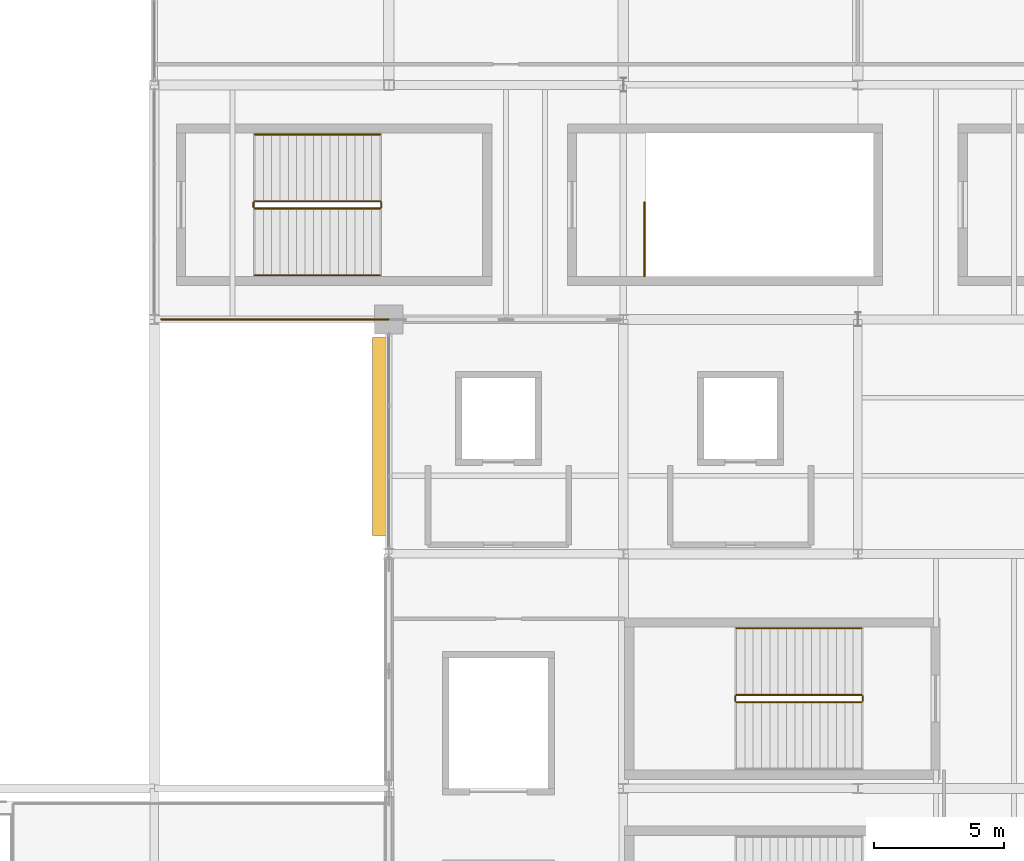
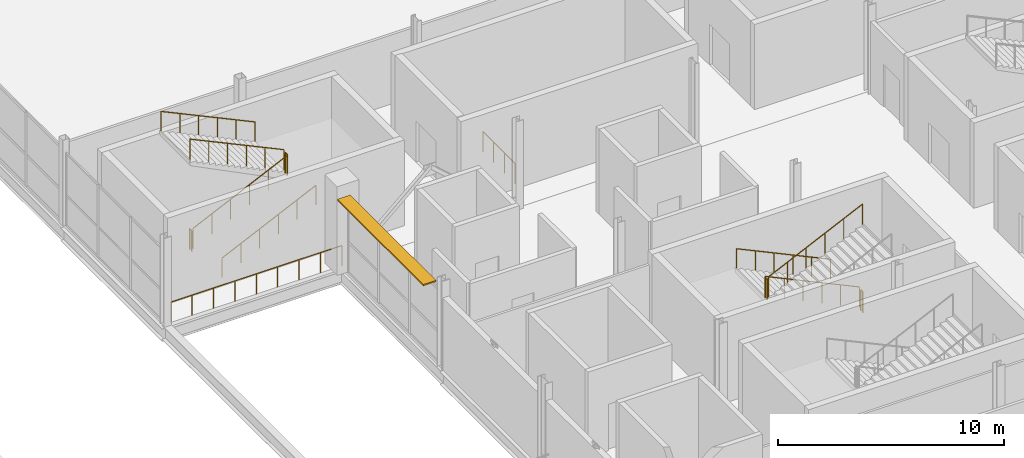
# One storey, part 65 of 69: 13 railings, 1 shading device.
"""IFC4 building model written with IfcOpenShell, lengths in metres."""

from ifc_helpers import new_model, si_unit, direction, frame, origin, origin_2d, place, context, subcontext, project, spatial, rectangle, circle, extrude, material, type_object, element, save


model = new_model("IFC4")

# Units and contexts
model_context = context("Model", 3, precision=1e-05, world=origin(), true_north=direction((0.0, 1.0)))
body_context = subcontext(model_context, "Body", "Model", "MODEL_VIEW")
ifc_project = project(units=[si_unit("LENGTHUNIT", "METRE"), si_unit("AREAUNIT", "SQUARE_METRE"), si_unit("VOLUMEUNIT", "CUBIC_METRE"), si_unit("PLANEANGLEUNIT", "RADIAN"), si_unit("MASSUNIT", "GRAM", prefix="KILO")], contexts=[model_context])

# Site, building, storey
site_placement = place(None, origin())
site = spatial("IfcSite", under=ifc_project, at=site_placement, CompositionType="ELEMENT")
building_placement = place(site_placement, origin())
building = spatial("IfcBuilding", under=site, at=building_placement, Name="Qamarlyn Nura Convention Centre", CompositionType="ELEMENT")
storey_placement = place(building_placement, frame((0.0, 0.0, 15.60009765625)))
storey = spatial("IfcBuildingStorey", under=building, at=storey_placement, Name="L03", CompositionType="ELEMENT", Elevation=15.60009765625)

# Railings
ifc_material_1 = material(Name="Marine Grade 316 stainless steel", Category="steel")
railing_type_1 = type_object("IfcRailingType", Name="GRD-STAIR-112", PredefinedType="BALUSTRADE", material=ifc_material_1)
railing_1_placement = place(storey_placement, frame((171.139892578125, 66.590087890625, 0.14990234375)))
element("IfcRailing", 1, at=railing_1_placement, inside=storey, type_object=railing_type_1, Name="L03 ST-12 stair guard 1", PredefinedType="BALUSTRADE", context=body_context, shape_type="SweptSolid", body=[
    extrude(circle(Radius=0.02392578125, at=origin_2d()), frame((0.0, 0.0, 1.09619140625), z_axis=(-0.905452298538, 0.0, 0.424448035774), x_axis=(0.0, -1.0, 0.0)), (0.0, 0.0, 1.0), 5.301025390625),
    extrude(circle(Radius=0.02099609375, at=origin_2d()), origin(), (0.0, 0.0, 1.0), 1.070068359375),
    extrude(circle(Radius=0.02099609375, at=origin_2d()), frame((-0.9599609375, 0.0, 0.449951171875)), (0.0, 0.0, 1.0), 1.070068359375),
    extrude(circle(Radius=0.02099609375, at=origin_2d()), frame((-1.919921875, 0.0, 0.89990234375)), (0.0, 0.0, 1.0), 1.070068359375),
    extrude(circle(Radius=0.02099609375, at=origin_2d()), frame((-2.8798828125, 0.0, 1.35009765625)), (0.0, 0.0, 1.0), 1.070068359375),
    extrude(circle(Radius=0.02099609375, at=origin_2d()), frame((-3.83984375, 0.0, 1.800048828125)), (0.0, 0.0, 1.0), 1.070068359375),
    extrude(circle(Radius=0.02099609375, at=origin_2d()), frame((-4.7998046875, 0.0, 2.25)), (0.0, 0.0, 1.0), 1.070068359375),
])
railing_2_placement = place(storey_placement, frame((166.2900390625, 66.5400390625, 2.39990234375)))
element("IfcRailing", 2, at=railing_2_placement, inside=storey, type_object=railing_type_1, Name="L03 ST-12 stair guard 2", PredefinedType="BALUSTRADE", context=body_context, shape_type="SweptSolid", body=[
    extrude(circle(Radius=0.02392578125, at=origin_2d()), frame((0.0, 0.0, 1.09619140625), z_axis=(0.0, -1.0, 0.0), x_axis=(1.0, 0.0, 0.0)), (0.0, 0.0, 1.0), 0.179931640625),
    extrude(circle(Radius=0.02099609375, at=origin_2d()), origin(), (0.0, 0.0, 1.0), 1.070068359375),
    extrude(circle(Radius=0.02099609375, at=origin_2d()), frame((0.0, -0.179931640625, 0.0)), (0.0, 0.0, 1.0), 1.070068359375),
])
railing_3_placement = place(storey_placement, frame((166.340087890625, 66.31005859375, 2.5498046875)))
element("IfcRailing", 3, at=railing_3_placement, inside=storey, type_object=railing_type_1, Name="L03 ST-12 stair guard 3", PredefinedType="BALUSTRADE", context=body_context, shape_type="SweptSolid", body=[
    extrude(circle(Radius=0.02392578125, at=origin_2d()), frame((0.0, 0.0, 1.09619140625), z_axis=(0.905452298538, 0.0, 0.424448035774), x_axis=(0.0, 1.0, 0.0)), (0.0, 0.0, 1.0), 5.301025390625),
    extrude(circle(Radius=0.02099609375, at=origin_2d()), origin(), (0.0, 0.0, 1.0), 1.070068359375),
    extrude(circle(Radius=0.02099609375, at=origin_2d()), frame((0.9599609375, 0.0, 0.449951171875)), (0.0, 0.0, 1.0), 1.070068359375),
    extrude(circle(Radius=0.02099609375, at=origin_2d()), frame((1.919921875, 0.0, 0.89990234375)), (0.0, 0.0, 1.0), 1.070068359375),
    extrude(circle(Radius=0.02099609375, at=origin_2d()), frame((2.8798828125, 0.0, 1.35009765625)), (0.0, 0.0, 1.0), 1.070068359375),
    extrude(circle(Radius=0.02099609375, at=origin_2d()), frame((3.83984375, 0.0, 1.800048828125)), (0.0, 0.0, 1.0), 1.070068359375),
    extrude(circle(Radius=0.02099609375, at=origin_2d()), frame((4.7998046875, 0.0, 2.25)), (0.0, 0.0, 1.0), 1.070068359375),
])
railing_4_placement = place(storey_placement, frame((171.18994140625, 66.5400390625, 0.0)))
element("IfcRailing", 4, at=railing_4_placement, inside=storey, type_object=railing_type_1, Name="L03 ST-12 stair guard 4", PredefinedType="BALUSTRADE", context=body_context, shape_type="SweptSolid", body=[
    extrude(circle(Radius=0.02392578125, at=origin_2d()), frame((0.0, 0.0, 1.09619140625), z_axis=(0.0, -1.0, 0.0), x_axis=(1.0, 0.0, 0.0)), (0.0, 0.0, 1.0), 0.179931640625),
    extrude(circle(Radius=0.02099609375, at=origin_2d()), origin(), (0.0, 0.0, 1.0), 1.070068359375),
    extrude(circle(Radius=0.02099609375, at=origin_2d()), frame((0.0, -0.179931640625, 0.0)), (0.0, 0.0, 1.0), 1.070068359375),
])
railing_5_placement = place(storey_placement, frame((147.860107421875, 85.260009765625, 0.14990234375)))
element("IfcRailing", 5, at=railing_5_placement, inside=storey, type_object=railing_type_1, Name="L03 ST-15 stair guard 1", PredefinedType="BALUSTRADE", context=body_context, shape_type="SweptSolid", body=[
    extrude(circle(Radius=0.02392578125, at=origin_2d()), frame((0.0, 0.0, 1.09619140625), z_axis=(0.905452298538, 0.0, 0.424448035774), x_axis=(0.0, 1.0, 0.0)), (0.0, 0.0, 1.0), 5.301025390625),
    extrude(circle(Radius=0.02099609375, at=origin_2d()), origin(), (0.0, 0.0, 1.0), 1.070068359375),
    extrude(circle(Radius=0.02099609375, at=origin_2d()), frame((0.9599609375, 0.0, 0.449951171875)), (0.0, 0.0, 1.0), 1.070068359375),
    extrude(circle(Radius=0.02099609375, at=origin_2d()), frame((1.919921875, 0.0, 0.89990234375)), (0.0, 0.0, 1.0), 1.070068359375),
    extrude(circle(Radius=0.02099609375, at=origin_2d()), frame((2.8798828125, 0.0, 1.35009765625)), (0.0, 0.0, 1.0), 1.070068359375),
    extrude(circle(Radius=0.02099609375, at=origin_2d()), frame((3.83984375, 0.0, 1.800048828125)), (0.0, 0.0, 1.0), 1.070068359375),
    extrude(circle(Radius=0.02099609375, at=origin_2d()), frame((4.7998046875, 0.0, 2.25)), (0.0, 0.0, 1.0), 1.070068359375),
])
railing_6_placement = place(storey_placement, frame((152.7099609375, 85.31005859375, 2.39990234375)))
element("IfcRailing", 6, at=railing_6_placement, inside=storey, type_object=railing_type_1, Name="L03 ST-15 stair guard 2", PredefinedType="BALUSTRADE", context=body_context, shape_type="SweptSolid", body=[
    extrude(circle(Radius=0.02392578125, at=origin_2d()), frame((0.0, 0.0, 1.09619140625), z_axis=(0.0, 1.0, 0.0), x_axis=(-1.0, 0.0, 0.0)), (0.0, 0.0, 1.0), 0.179931640625),
    extrude(circle(Radius=0.02099609375, at=origin_2d()), origin(), (0.0, 0.0, 1.0), 1.070068359375),
    extrude(circle(Radius=0.02099609375, at=origin_2d()), frame((0.0, 0.179931640625, 0.0)), (0.0, 0.0, 1.0), 1.070068359375),
])
railing_7_placement = place(storey_placement, frame((152.659912109375, 85.5400390625, 2.5498046875)))
element("IfcRailing", 7, at=railing_7_placement, inside=storey, type_object=railing_type_1, Name="L03 ST-15 stair guard 3", PredefinedType="BALUSTRADE", context=body_context, shape_type="SweptSolid", body=[
    extrude(circle(Radius=0.02392578125, at=origin_2d()), frame((0.0, 0.0, 1.09619140625), z_axis=(-0.905452298538, 0.0, 0.424448035774), x_axis=(0.0, -1.0, 0.0)), (0.0, 0.0, 1.0), 5.301025390625),
    extrude(circle(Radius=0.02099609375, at=origin_2d()), origin(), (0.0, 0.0, 1.0), 1.070068359375),
    extrude(circle(Radius=0.02099609375, at=origin_2d()), frame((-0.9599609375, 0.0, 0.449951171875)), (0.0, 0.0, 1.0), 1.070068359375),
    extrude(circle(Radius=0.02099609375, at=origin_2d()), frame((-1.919921875, 0.0, 0.89990234375)), (0.0, 0.0, 1.0), 1.070068359375),
    extrude(circle(Radius=0.02099609375, at=origin_2d()), frame((-2.8798828125, 0.0, 1.35009765625)), (0.0, 0.0, 1.0), 1.070068359375),
    extrude(circle(Radius=0.02099609375, at=origin_2d()), frame((-3.83984375, 0.0, 1.800048828125)), (0.0, 0.0, 1.0), 1.070068359375),
    extrude(circle(Radius=0.02099609375, at=origin_2d()), frame((-4.7998046875, 0.0, 2.25)), (0.0, 0.0, 1.0), 1.070068359375),
])
railing_8_placement = place(storey_placement, frame((147.81005859375, 85.31005859375, 0.0)))
element("IfcRailing", 8, at=railing_8_placement, inside=storey, type_object=railing_type_1, Name="L03 ST-15 stair guard 4", PredefinedType="BALUSTRADE", context=body_context, shape_type="SweptSolid", body=[
    extrude(circle(Radius=0.02392578125, at=origin_2d()), frame((0.0, 0.0, 1.09619140625), z_axis=(0.0, 1.0, 0.0), x_axis=(-1.0, 0.0, 0.0)), (0.0, 0.0, 1.0), 0.179931640625),
    extrude(circle(Radius=0.02099609375, at=origin_2d()), origin(), (0.0, 0.0, 1.0), 1.070068359375),
    extrude(circle(Radius=0.02099609375, at=origin_2d()), frame((0.0, 0.179931640625, 0.0)), (0.0, 0.0, 1.0), 1.070068359375),
])
railing_9_placement = place(storey_placement, frame((162.81005859375, 82.64990234375, 0.0)))
element("IfcRailing", 9, at=railing_9_placement, inside=storey, type_object=railing_type_1, Name="L03 ST-16 top well guard 1", PredefinedType="BALUSTRADE", context=body_context, shape_type="SweptSolid", body=[
    extrude(circle(Radius=0.02392578125, at=origin_2d()), frame((0.0, 0.0, 1.09619140625), z_axis=(0.0, 1.0, 0.0), x_axis=(-1.0, 0.0, 0.0)), (0.0, 0.0, 1.0), 2.840087890625),
    extrude(circle(Radius=0.02099609375, at=origin_2d()), origin(), (0.0, 0.0, 1.0), 1.070068359375),
    extrude(circle(Radius=0.02099609375, at=origin_2d()), frame((0.0, 0.94677734375, 0.0)), (0.0, 0.0, 1.0), 1.070068359375),
    extrude(circle(Radius=0.02099609375, at=origin_2d()), frame((0.0, 1.893310546875, 0.0)), (0.0, 0.0, 1.0), 1.070068359375),
    extrude(circle(Radius=0.02099609375, at=origin_2d()), frame((0.0, 2.840087890625, 0.0)), (0.0, 0.0, 1.0), 1.070068359375),
])
railing_type_2 = type_object("IfcRailingType", Name="GRD-VOID-112", PredefinedType="BALUSTRADE", material=ifc_material_1)
railing_10_placement = place(storey_placement, frame((153.0, 81.0, 0.0)))
element("IfcRailing", 10, at=railing_10_placement, inside=storey, type_object=railing_type_2, Name="L03 slab edge balustrade guard 068", PredefinedType="BALUSTRADE", context=body_context, shape_type="SweptSolid", body=[
    extrude(circle(Radius=0.02392578125, at=origin_2d()), frame((0.0, 0.0, 1.09619140625), z_axis=(-1.0, 0.0, 0.0), x_axis=(0.0, -1.0, 0.0)), (0.0, 0.0, 1.0), 8.739990234375),
    extrude(circle(Radius=0.02099609375, at=origin_2d()), origin(), (0.0, 0.0, 1.0), 1.070068359375),
    extrude(circle(Radius=0.02099609375, at=origin_2d()), frame((-1.092529296875, 0.0, 0.0)), (0.0, 0.0, 1.0), 1.070068359375),
    extrude(circle(Radius=0.02099609375, at=origin_2d()), frame((-2.18505859375, 0.0, 0.0)), (0.0, 0.0, 1.0), 1.070068359375),
    extrude(circle(Radius=0.02099609375, at=origin_2d()), frame((-3.277587890625, 0.0, 0.0)), (0.0, 0.0, 1.0), 1.070068359375),
    extrude(circle(Radius=0.02099609375, at=origin_2d()), frame((-4.3701171875, 0.0, 0.0)), (0.0, 0.0, 1.0), 1.070068359375),
    extrude(circle(Radius=0.02099609375, at=origin_2d()), frame((-5.46240234375, 0.0, 0.0)), (0.0, 0.0, 1.0), 1.070068359375),
    extrude(circle(Radius=0.02099609375, at=origin_2d()), frame((-6.554931640625, 0.0, 0.0)), (0.0, 0.0, 1.0), 1.070068359375),
    extrude(circle(Radius=0.02099609375, at=origin_2d()), frame((-7.6474609375, 0.0, 0.0)), (0.0, 0.0, 1.0), 1.070068359375),
    extrude(circle(Radius=0.02099609375, at=origin_2d()), frame((-8.739990234375, 0.0, 0.0)), (0.0, 0.0, 1.0), 1.070068359375),
])
railing_type_3 = type_object("IfcRailingType", Name="HRL-STAIR-090", PredefinedType="HANDRAIL", material=ifc_material_1)
railing_11_placement = place(storey_placement, frame((171.139892578125, 69.14990234375, 0.30224609375)))
element("IfcRailing", 11, at=railing_11_placement, inside=storey, type_object=railing_type_3, Name="L03 ST-12 stair handrail 1", PredefinedType="HANDRAIL", context=body_context, shape_type="SweptSolid", body=[
    extrude(circle(Radius=0.02392578125, at=origin_2d()), frame((0.0, 0.0, 0.88818359375), z_axis=(-0.905452298538, 0.0, 0.424448035774), x_axis=(0.0, -1.0, 0.0)), (0.0, 0.0, 1.0), 5.301025390625),
    extrude(circle(Radius=0.02099609375, at=origin_2d()), frame((0.0, 0.0, -0.155029296875)), (0.0, 0.0, 1.0), 1.01708984375),
    extrude(circle(Radius=0.02099609375, at=origin_2d()), frame((-0.9599609375, 0.0, 0.294921875)), (0.0, 0.0, 1.0), 1.01708984375),
    extrude(circle(Radius=0.02099609375, at=origin_2d()), frame((-1.919921875, 0.0, 0.744873046875)), (0.0, 0.0, 1.0), 1.01708984375),
    extrude(circle(Radius=0.02099609375, at=origin_2d()), frame((-2.8798828125, 0.0, 1.195068359375)), (0.0, 0.0, 1.0), 1.01708984375),
    extrude(circle(Radius=0.02099609375, at=origin_2d()), frame((-3.83984375, 0.0, 1.64501953125)), (0.0, 0.0, 1.0), 1.01708984375),
    extrude(circle(Radius=0.02099609375, at=origin_2d()), frame((-4.7998046875, 0.0, 2.094970703125)), (0.0, 0.0, 1.0), 1.01708984375),
])
railing_12_placement = place(storey_placement, frame((147.860107421875, 82.699951171875, 0.30224609375)))
element("IfcRailing", 12, at=railing_12_placement, inside=storey, type_object=railing_type_3, Name="L03 ST-15 stair handrail 1", PredefinedType="HANDRAIL", context=body_context, shape_type="SweptSolid", body=[
    extrude(circle(Radius=0.02392578125, at=origin_2d()), frame((0.0, 0.0, 0.88818359375), z_axis=(0.905452298538, 0.0, 0.424448035774), x_axis=(0.0, 1.0, 0.0)), (0.0, 0.0, 1.0), 5.301025390625),
    extrude(circle(Radius=0.02099609375, at=origin_2d()), frame((0.0, 0.0, -0.155029296875)), (0.0, 0.0, 1.0), 1.01708984375),
    extrude(circle(Radius=0.02099609375, at=origin_2d()), frame((0.9599609375, 0.0, 0.294921875)), (0.0, 0.0, 1.0), 1.01708984375),
    extrude(circle(Radius=0.02099609375, at=origin_2d()), frame((1.919921875, 0.0, 0.744873046875)), (0.0, 0.0, 1.0), 1.01708984375),
    extrude(circle(Radius=0.02099609375, at=origin_2d()), frame((2.8798828125, 0.0, 1.195068359375)), (0.0, 0.0, 1.0), 1.01708984375),
    extrude(circle(Radius=0.02099609375, at=origin_2d()), frame((3.83984375, 0.0, 1.64501953125)), (0.0, 0.0, 1.0), 1.01708984375),
    extrude(circle(Radius=0.02099609375, at=origin_2d()), frame((4.7998046875, 0.0, 2.094970703125)), (0.0, 0.0, 1.0), 1.01708984375),
])
railing_13_placement = place(storey_placement, frame((152.659912109375, 88.10009765625, 2.7021484375)))
element("IfcRailing", 13, at=railing_13_placement, inside=storey, type_object=railing_type_3, Name="L03 ST-15 stair handrail 2", PredefinedType="HANDRAIL", context=body_context, shape_type="SweptSolid", body=[
    extrude(circle(Radius=0.02392578125, at=origin_2d()), frame((0.0, 0.0, 0.88818359375), z_axis=(-0.905452298538, 0.0, 0.424448035774), x_axis=(0.0, -1.0, 0.0)), (0.0, 0.0, 1.0), 5.301025390625),
    extrude(circle(Radius=0.02099609375, at=origin_2d()), frame((0.0, 0.0, -0.155029296875)), (0.0, 0.0, 1.0), 1.01708984375),
    extrude(circle(Radius=0.02099609375, at=origin_2d()), frame((-0.9599609375, 0.0, 0.294921875)), (0.0, 0.0, 1.0), 1.01708984375),
    extrude(circle(Radius=0.02099609375, at=origin_2d()), frame((-1.919921875, 0.0, 0.744873046875)), (0.0, 0.0, 1.0), 1.01708984375),
    extrude(circle(Radius=0.02099609375, at=origin_2d()), frame((-2.8798828125, 0.0, 1.195068359375)), (0.0, 0.0, 1.0), 1.01708984375),
    extrude(circle(Radius=0.02099609375, at=origin_2d()), frame((-3.83984375, 0.0, 1.64501953125)), (0.0, 0.0, 1.0), 1.01708984375),
    extrude(circle(Radius=0.02099609375, at=origin_2d()), frame((-4.7998046875, 0.0, 2.094970703125)), (0.0, 0.0, 1.0), 1.01708984375),
])

# Shading device
ifc_material_2 = material(Name="Champagne-anodised marine aluminium", Category="aluminium")
shading_device_type = type_object("IfcShadingDeviceType", Name="SHD-SUN-SHUTTER", PredefinedType="SHUTTER", material=ifc_material_2)
shading_device_placement = place(storey_placement, frame((152.699951171875, 76.5, 4.159912109375), z_axis=(0.0, 0.0, 1.0), x_axis=(1.0, 0.0, 0.0)))
element("IfcShadingDevice", 14, at=shading_device_placement, inside=storey, type_object=shading_device_type, Name="L03 courtyard solar sunshade 72", PredefinedType="SHUTTER", context=body_context, shape_type="SweptSolid", body=[
    extrude(rectangle(XDim=0.64990234375, YDim=7.60009765625, at=origin_2d()), origin(), (0.0, 0.0, 1.0), 0.080078125),
])

save(model, "model.ifc")
